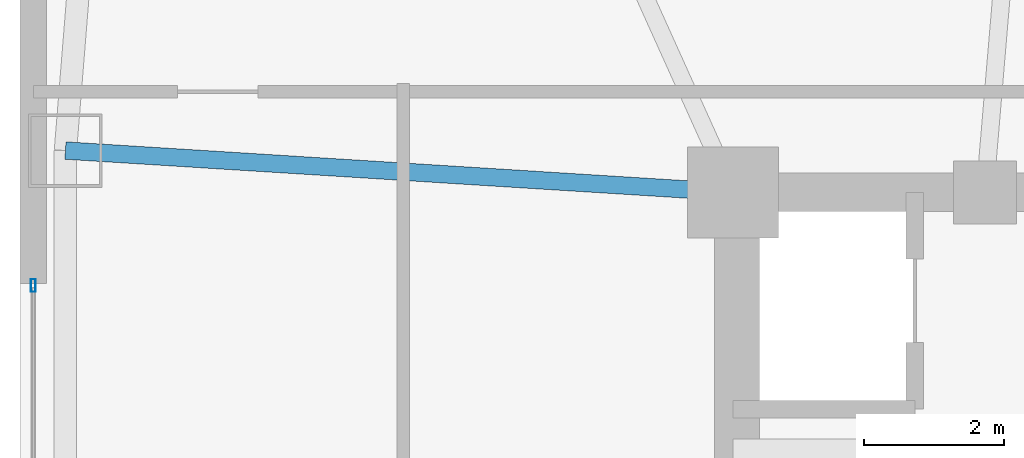
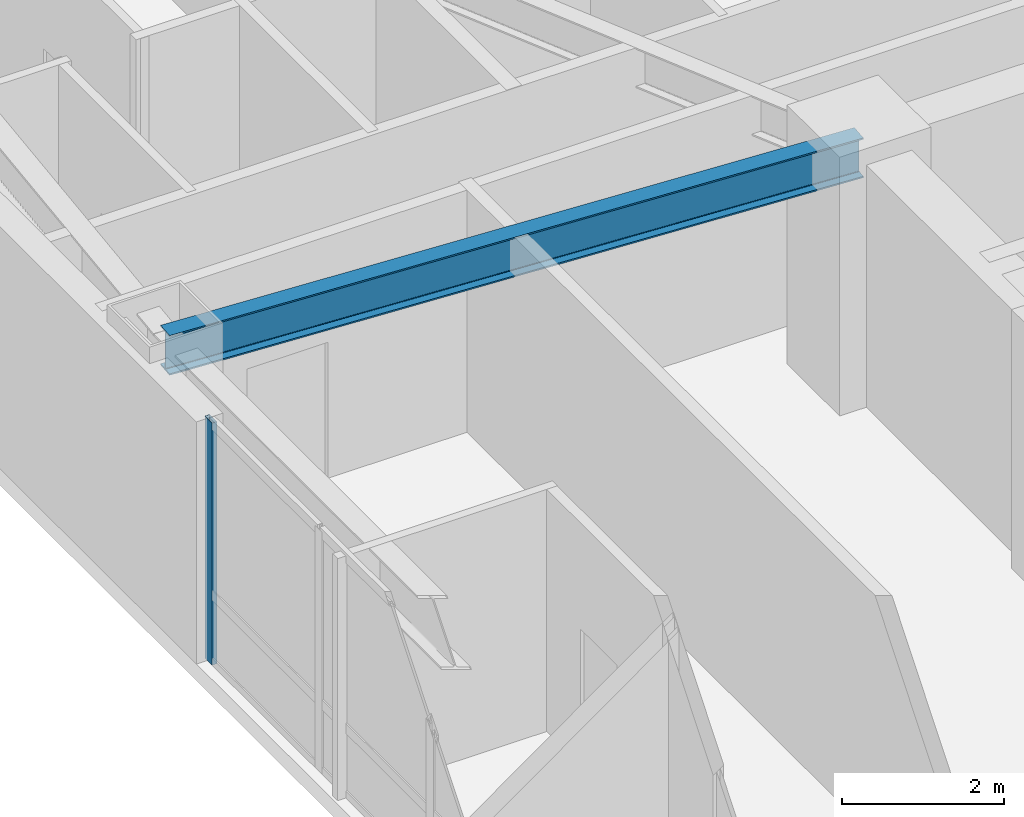
# One storey, part 8 of 28: 1 beam, 1 member, 1 element without a shape of its own.
"""IFC4 building model written with IfcOpenShell, lengths in metres."""

from ifc_helpers import new_model, si_unit, direction, frame, origin, origin_2d, place, context, subcontext, project, spatial, hollow_rectangle, i_section, extrude, material, layer, layer_set, material_profile, profile_set, type_object, element, aggregate, save


model = new_model("IFC4")

# Units and contexts
model_context = context("Model", 3, precision=1e-05, world=origin(), true_north=direction((0.0, 1.0)))
body_context = subcontext(model_context, "Body", "Model", "MODEL_VIEW")
ifc_project = project(units=[si_unit("LENGTHUNIT", "METRE"), si_unit("AREAUNIT", "SQUARE_METRE"), si_unit("VOLUMEUNIT", "CUBIC_METRE"), si_unit("PLANEANGLEUNIT", "RADIAN"), si_unit("MASSUNIT", "GRAM", prefix="KILO")], contexts=[model_context])

# Site, building, storey
site_placement = place(None, origin())
site = spatial("IfcSite", under=ifc_project, at=site_placement, CompositionType="ELEMENT")
building_placement = place(site_placement, origin())
building = spatial("IfcBuilding", under=site, at=building_placement, Name="Voryun Gate Residences", CompositionType="ELEMENT")
storey_placement = place(building_placement, frame((0.0, 0.0, 117.0)))
storey = spatial("IfcBuildingStorey", under=building, at=storey_placement, Name="L28", CompositionType="ELEMENT", Elevation=117.0)

# Beam
ifc_material_1 = material(Name="Steel SM355", Category="steel")
ifc_material_profile_1 = material_profile(ifc_material_1, i_section(OverallWidth=0.25, OverallDepth=0.60009765625, WebThickness=0.011962890625, FlangeThickness=0.02197265625, FilletRadius=0.01806640625, at=origin_2d()), Name="H-600x250x12x22")
ifc_profile_set_1 = profile_set([ifc_material_profile_1], Name="Steel SM355")
beam_type = type_object("IfcBeamType", Name="BM_GIRD_600", PredefinedType="USERDEFINED", material=ifc_profile_set_1)
beam_placement = place(storey_placement, frame((-19.199951171875, 7.39990234375, 3.35009765625), z_axis=(-0.998044329736, 0.062510126233, 0.0), x_axis=(-0.062510126233, -0.998044329736, 0.0)))
element("IfcBeam", 1, at=beam_placement, inside=storey, type_object=beam_type, Name="BM-L28-RAD-W1", ObjectType="GIRDER", PredefinedType="USERDEFINED", context=body_context, shape_type="SweptSolid", body=[
    extrude(i_section(OverallWidth=0.25, OverallDepth=0.60009765625, WebThickness=0.011962890625, FlangeThickness=0.02197265625, FilletRadius=0.01806640625, at=origin_2d()), origin(), (0.0, 0.0, 1.0), 9.56884765625),
])

# Curtain wall, member
ifc_material_2 = material(Name="Anodised aluminium", Category="aluminium")
ifc_layer = layer(ifc_material_2, 0.179931640625, Name="CW_SYS_RES_A_DARK_GLASS")
ifc_layer_set = layer_set([ifc_layer], Name="Anodised aluminium")
curtain_wall_type = type_object("IfcCurtainWallType", Name="CW_SYS_RES_A_DARK_GLASS", PredefinedType="NOTDEFINED", material=ifc_layer_set)
curtain_wall_placement = place(storey_placement, origin())
curtain_wall = element("IfcCurtainWall", 2, at=curtain_wall_placement, inside=storey, type_object=curtain_wall_type, Name="Curtain wall CWT-L28-06", PredefinedType="NOTDEFINED")
ifc_material_3 = material(Name="Anodised aluminium", Category="aluminium")
ifc_material_profile_2 = material_profile(ifc_material_3, hollow_rectangle(XDim=0.070068359375, YDim=0.179931640625, WallThickness=0.00390625, at=origin_2d()), Name="ALU-MULL-180x70x4")
ifc_profile_set_2 = profile_set([ifc_material_profile_2], Name="Anodised aluminium")
member_type = type_object("IfcMemberType", Name="CW_MULL_RES", PredefinedType="MULLION", material=ifc_profile_set_2)
member_placement = place(storey_placement, frame((-29.2099609375, 6.068115234375, 0.0), z_axis=(0.0, 0.0, 1.0), x_axis=(-1.0, 0.0, 0.0)))
member = element("IfcMember", 3, at=member_placement, type_object=member_type, Name="CW3 mullion 5", PredefinedType="MULLION", context=body_context, shape_type="SweptSolid", body=[
    extrude(hollow_rectangle(XDim=0.070068359375, YDim=0.179931640625, WallThickness=0.00390625, at=origin_2d()), origin(), (0.0, 0.0, 1.0), 3.64990234375),
])
aggregate(curtain_wall, [member])

save(model, "model.ifc")
